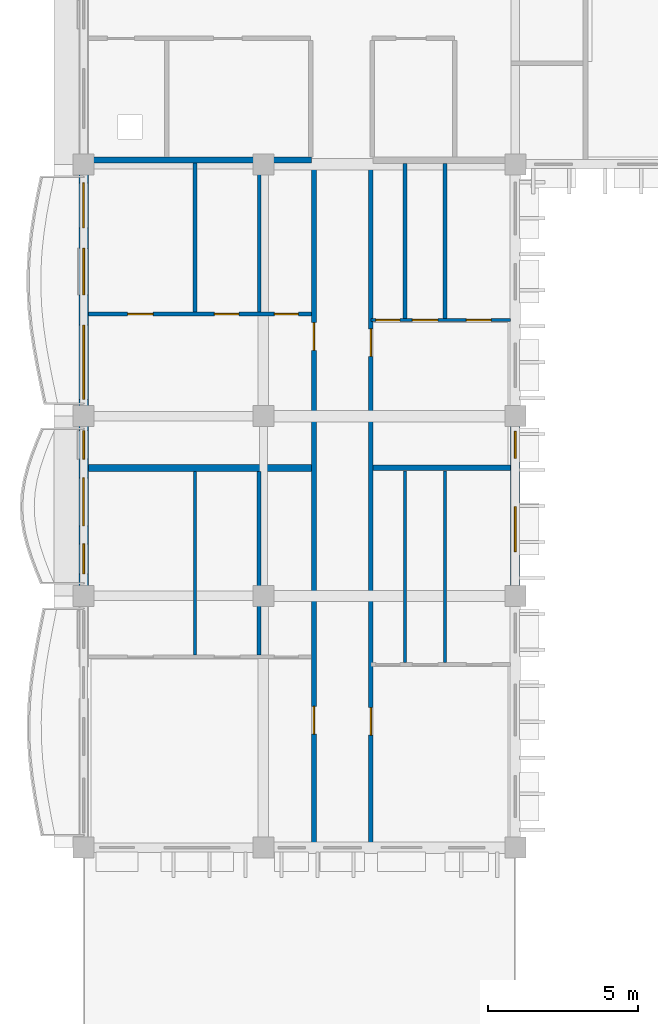
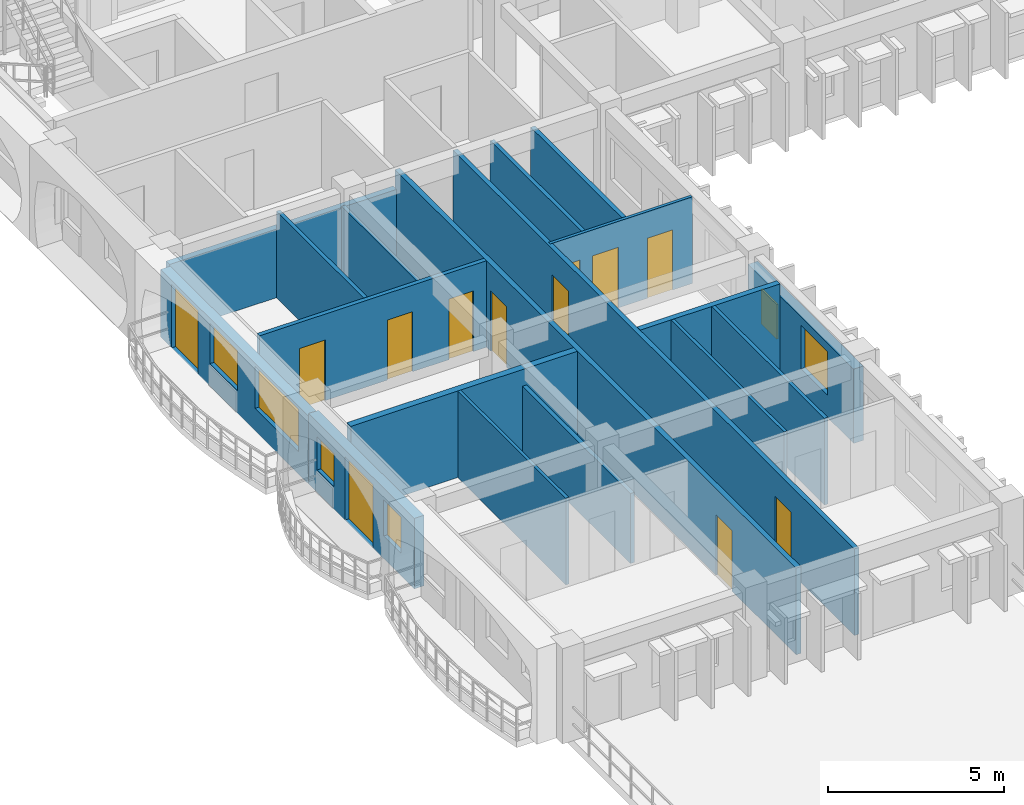
# One storey, part 20 of 66: 18 walls, 12 doors, 6 windows, 18 openings.
"""IFC4 building model written with IfcOpenShell, lengths in metres."""

from ifc_helpers import new_model, si_unit, direction, frame, frame_2d, origin, place, context, subcontext, project, spatial, rectangle, extrude, material, layer, layer_set, type_object, element, fill, save


model = new_model("IFC4")

# Units and contexts
model_context = context("Model", 3, precision=1e-05, world=origin(), true_north=direction((0.0, 1.0)))
body_context = subcontext(model_context, "Body", "Model", "MODEL_VIEW")
ifc_project = project(units=[si_unit("LENGTHUNIT", "METRE"), si_unit("AREAUNIT", "SQUARE_METRE"), si_unit("VOLUMEUNIT", "CUBIC_METRE"), si_unit("PLANEANGLEUNIT", "RADIAN"), si_unit("MASSUNIT", "GRAM", prefix="KILO"), si_unit("THERMODYNAMICTEMPERATUREUNIT", "KELVIN")], contexts=[model_context])

# Site, building, storey
site_placement = place(None, origin())
site = spatial("IfcSite", under=ifc_project, at=site_placement, CompositionType="ELEMENT")
building_placement = place(site_placement, origin())
building = spatial("IfcBuilding", under=site, at=building_placement, Name="Thalorik Housing Commons", CompositionType="ELEMENT")
storey_placement = place(building_placement, frame((0.0, 0.0, 21.300048828125)))
storey = spatial("IfcBuildingStorey", under=building, at=storey_placement, Name="L06", CompositionType="ELEMENT", Elevation=21.300048828125)

# Wall, openings, doors
ifc_material_1 = material(Name="Masonry fire-rated corridor wall", Category="masonry")
ifc_layer_1 = layer(ifc_material_1, 0.14990234375, Name="Masonry fire-rated corridor wall", Category="masonry")
ifc_layer_set_1 = layer_set([ifc_layer_1], Name="Masonry fire-rated corridor wall")
wall_type_1 = type_object("IfcWallType", Name="ARC-WAL-CORR-150", PredefinedType="PARTITIONING", material=ifc_layer_set_1)
wall_1_placement = place(storey_placement, frame((17.97998046875, 86.56201171875, 0.0), z_axis=(0.0, 0.0, 1.0), x_axis=(0.0, 1.0, 0.0)))
wall_1 = element("IfcWall", 1, at=wall_1_placement, inside=storey, type_object=wall_type_1, Name="L06 Block A W Corridor Wall 2", PredefinedType="PARTITIONING", context=body_context, shape_type="SweptSolid", body=[
    extrude(rectangle(XDim=22.778076171875, YDim=0.14990234375, at=frame_2d((11.38916015625, 0.0))), origin(), (0.0, 0.0, 1.0), 3.0),
])
opening_1_placement = place(wall_1_placement, frame((3.592529296875, 0.0, 0.0)))
opening_1 = element("IfcOpeningElement", 2, at=opening_1_placement, cuts=wall_1, Name="Opening ID-0683", PredefinedType="OPENING", context=body_context, shape_type="SweptSolid", body=[
    extrude(rectangle(XDim=0.919921875, YDim=2.10009765625, at=frame_2d((0.4599609375, 1.050048828125))), frame((0.0, 0.0849609375, 0.0), z_axis=(0.0, -1.0, 0.0), x_axis=(1.0, 0.0, 0.0)), (0.0, 0.0, 1.0), 0.169921875),
])
opening_2_placement = place(wall_1_placement, frame((16.2275390625, 0.0, 0.0)))
opening_2 = element("IfcOpeningElement", 3, at=opening_2_placement, cuts=wall_1, Name="Opening ID-0684", PredefinedType="OPENING", context=body_context, shape_type="SweptSolid", body=[
    extrude(rectangle(XDim=0.919921875, YDim=2.10009765625, at=frame_2d((0.4599609375, 1.050048828125))), frame((0.0, 0.0849609375, 0.0), z_axis=(0.0, -1.0, 0.0), x_axis=(1.0, 0.0, 0.0)), (0.0, 0.0, 1.0), 0.169921875),
])
ifc_material_2 = material(Name="Solid core hardwood timber", Category="wood")
door_type_1 = type_object("IfcDoorType", Name="ARC-DR-FD30-920", OperationType="NOTDEFINED", PredefinedType="DOOR", material=ifc_material_2)
door_1_placement = place(opening_1_placement, origin())
door_1 = element("IfcDoor", 4, at=door_1_placement, inside=storey, type_object=door_type_1, Name="L06 Flat AW-1B Entrance Door", OperationType="SINGLE_SWING_RIGHT", OverallHeight=2.10009765625, OverallWidth=0.919921875, PredefinedType="DOOR", context=body_context, shape_type="SweptSolid", body=[
    extrude(rectangle(XDim=0.919921875, YDim=2.10009765625, at=frame_2d((0.4599609375, 1.050048828125))), frame((0.0, 0.02490234375, 0.0), z_axis=(0.0, -1.0, 0.0), x_axis=(1.0, 0.0, 0.0)), (0.0, 0.0, 1.0), 0.050048828125),
])
fill(opening_1, door_1)
door_2_placement = place(opening_2_placement, origin())
door_2 = element("IfcDoor", 5, at=door_2_placement, inside=storey, type_object=door_type_1, Name="L06 Flat AW-2B Entrance Door", OperationType="SINGLE_SWING_LEFT", OverallHeight=2.10009765625, OverallWidth=0.919921875, PredefinedType="DOOR", context=body_context, shape_type="SweptSolid", body=[
    extrude(rectangle(XDim=0.919921875, YDim=2.10009765625, at=frame_2d((0.4599609375, 1.050048828125))), frame((0.0, 0.02490234375, 0.0), z_axis=(0.0, -1.0, 0.0), x_axis=(1.0, 0.0, 0.0)), (0.0, 0.0, 1.0), 0.050048828125),
])
fill(opening_2, door_2)

ifc_layer_2 = layer(ifc_material_1, 0.1650390625, Name="Masonry fire-rated corridor wall", Category="masonry")
ifc_layer_set_2 = layer_set([ifc_layer_2], Name="Masonry fire-rated corridor wall")
wall_type_2 = type_object("IfcWallType", Name="ARC-WAL-CORR-165", PredefinedType="PARTITIONING", material=ifc_layer_set_2)
wall_2_placement = place(storey_placement, frame((16.080078125, 86.56201171875, 0.0), z_axis=(0.0, 0.0, 1.0), x_axis=(0.0, 1.0, 0.0)))
wall_2 = element("IfcWall", 6, at=wall_2_placement, inside=storey, type_object=wall_type_2, Name="L06 Block A W Corridor Wall 1", PredefinedType="PARTITIONING", context=body_context, shape_type="SweptSolid", body=[
    extrude(rectangle(XDim=22.778076171875, YDim=0.1650390625, at=frame_2d((11.38916015625, 0.0))), origin(), (0.0, 0.0, 1.0), 3.0),
])
opening_3_placement = place(wall_2_placement, frame((3.63037109375, 0.0, 0.0)))
opening_3 = element("IfcOpeningElement", 7, at=opening_3_placement, cuts=wall_2, Name="Opening ID-0681", PredefinedType="OPENING", context=body_context, shape_type="SweptSolid", body=[
    extrude(rectangle(XDim=0.919921875, YDim=2.10009765625, at=frame_2d((0.4599609375, 1.050048828125))), frame((0.0, 0.092529296875, 0.0), z_axis=(0.0, -1.0, 0.0), x_axis=(1.0, 0.0, 0.0)), (0.0, 0.0, 1.0), 0.18505859375),
])
opening_4_placement = place(wall_2_placement, frame((16.43310546875, 0.0, 0.0)))
opening_4 = element("IfcOpeningElement", 8, at=opening_4_placement, cuts=wall_2, Name="Opening ID-0682", PredefinedType="OPENING", context=body_context, shape_type="SweptSolid", body=[
    extrude(rectangle(XDim=0.919921875, YDim=2.10009765625, at=frame_2d((0.4599609375, 1.050048828125))), frame((0.0, 0.092529296875, 0.0), z_axis=(0.0, -1.0, 0.0), x_axis=(1.0, 0.0, 0.0)), (0.0, 0.0, 1.0), 0.18505859375),
])
door_3_placement = place(opening_3_placement, origin())
door_3 = element("IfcDoor", 9, at=door_3_placement, inside=storey, type_object=door_type_1, Name="L06 Flat AW-1A Entrance Door", OperationType="SINGLE_SWING_RIGHT", OverallHeight=2.10009765625, OverallWidth=0.919921875, PredefinedType="DOOR", context=body_context, shape_type="SweptSolid", body=[
    extrude(rectangle(XDim=0.919921875, YDim=2.10009765625, at=frame_2d((0.4599609375, 1.050048828125))), frame((0.0, 0.02490234375, 0.0), z_axis=(0.0, -1.0, 0.0), x_axis=(1.0, 0.0, 0.0)), (0.0, 0.0, 1.0), 0.050048828125),
])
fill(opening_3, door_3)
door_4_placement = place(opening_4_placement, origin())
door_4 = element("IfcDoor", 10, at=door_4_placement, inside=storey, type_object=door_type_1, Name="L06 Flat AW-2A Entrance Door", OperationType="SINGLE_SWING_LEFT", OverallHeight=2.10009765625, OverallWidth=0.919921875, PredefinedType="DOOR", context=body_context, shape_type="SweptSolid", body=[
    extrude(rectangle(XDim=0.919921875, YDim=2.10009765625, at=frame_2d((0.4599609375, 1.050048828125))), frame((0.0, 0.02490234375, 0.0), z_axis=(0.0, -1.0, 0.0), x_axis=(1.0, 0.0, 0.0)), (0.0, 0.0, 1.0), 0.050048828125),
])
fill(opening_4, door_4)

# Wall, openings, door, windows
ifc_material_3 = material(Name="White precast concrete C40/50", Category="concrete")
ifc_layer_3 = layer(ifc_material_3, 0.320068359375, Name="White precast concrete C40/50", Category="concrete")
ifc_layer_set_3 = layer_set([ifc_layer_3], Name="White precast concrete C40/50")
wall_type_3 = type_object("IfcWallType", Name="ARC-WAL-EXT-320", PredefinedType="STANDARD", material=ifc_layer_set_3)
wall_3_placement = place(storey_placement, frame((8.39990234375, 109.199951171875, 0.0), z_axis=(0.0, 0.0, 1.0), x_axis=(0.0, -1.0, 0.0)))
wall_3 = element("IfcWall", 11, at=wall_3_placement, inside=storey, type_object=wall_type_3, Name="L06 Exterior Wall WAL-EXT-L06-A-0183", PredefinedType="STANDARD", context=body_context, shape_type="SweptSolid", body=[
    extrude(rectangle(XDim=8.39990234375, YDim=0.320068359375, at=frame_2d((4.199951171875, 0.0))), origin(), (0.0, 0.0, 1.0), 2.344970703125),
])
opening_5_placement = place(wall_3_placement, frame((0.6201171875, 0.0, 0.0)))
opening_5 = element("IfcOpeningElement", 12, at=opening_5_placement, cuts=wall_3, Name="Opening ED-0056", PredefinedType="OPENING", context=body_context, shape_type="SweptSolid", body=[
    extrude(rectangle(XDim=1.5, YDim=2.199951171875, at=frame_2d((0.75, 1.10009765625))), frame((0.0, 0.169921875, 0.0), z_axis=(0.0, -1.0, 0.0), x_axis=(1.0, 0.0, 0.0)), (0.0, 0.0, 1.0), 0.340087890625),
])
opening_6_placement = place(wall_3_placement, frame((2.8076171875, 0.0, 0.780029296875)))
opening_6 = element("IfcOpeningElement", 13, at=opening_6_placement, cuts=wall_3, Name="Opening W-12", PredefinedType="OPENING", context=body_context, shape_type="SweptSolid", body=[
    extrude(rectangle(XDim=1.550048828125, YDim=1.39990234375, at=frame_2d((0.77490234375, 0.699951171875))), frame((0.0, 0.169921875, 0.0), z_axis=(0.0, -1.0, 0.0), x_axis=(1.0, 0.0, 0.0)), (0.0, 0.0, 1.0), 0.340087890625),
])
opening_7_placement = place(wall_3_placement, frame((5.362548828125, 0.0, 0.780029296875)))
opening_7 = element("IfcOpeningElement", 14, at=opening_7_placement, cuts=wall_3, Name="Opening W-71", PredefinedType="OPENING", context=body_context, shape_type="SweptSolid", body=[
    extrude(rectangle(XDim=2.47998046875, YDim=1.4599609375, at=frame_2d((1.239990234375, 0.72998046875))), frame((0.0, 0.169921875, 0.0), z_axis=(0.0, -1.0, 0.0), x_axis=(1.0, 0.0, 0.0)), (0.0, 0.0, 1.0), 0.340087890625),
])
ifc_material_4 = material(Name="Anodised aluminium and laminated safety glass", Category="aluminium")
door_type_2 = type_object("IfcDoorType", Name="ARC-DR-BAL-1500", OperationType="NOTDEFINED", PredefinedType="DOOR", material=ifc_material_4)
door_5_placement = place(opening_5_placement, frame((1.5, 0.0, 0.0), z_axis=(0.0, 0.0, 1.0), x_axis=(-1.0, 0.0, 0.0)))
door_5 = element("IfcDoor", 15, at=door_5_placement, inside=storey, type_object=door_type_2, Name="L06 Block A Balcony Glazed Door", OperationType="SLIDING_TO_RIGHT", OverallHeight=2.199951171875, OverallWidth=1.5, PredefinedType="DOOR", context=body_context, shape_type="SweptSolid", body=[
    extrude(rectangle(XDim=1.5, YDim=2.199951171875, at=frame_2d((0.75, 1.10009765625))), frame((0.0, 0.02490234375, 0.0), z_axis=(0.0, -1.0, 0.0), x_axis=(1.0, 0.0, 0.0)), (0.0, 0.0, 1.0), 0.050048828125),
])
fill(opening_5, door_5)
ifc_material_5 = material(Name="Anodised aluminium and solar-control low-E glass", Category="aluminium")
window_type_1 = type_object("IfcWindowType", Name="ARC-WIN-12", PartitioningType="SINGLE_PANEL", PredefinedType="WINDOW", material=ifc_material_5)
window_1_placement = place(opening_6_placement, origin())
window_1 = element("IfcWindow", 16, at=window_1_placement, inside=storey, type_object=window_type_1, Name="L06 Facade Window 326", OverallHeight=1.39990234375, OverallWidth=1.550048828125, PartitioningType="SINGLE_PANEL", PredefinedType="WINDOW", context=body_context, shape_type="SweptSolid", body=[
    extrude(rectangle(XDim=1.550048828125, YDim=1.39990234375, at=frame_2d((0.77490234375, 0.699951171875))), frame((0.0, 0.030029296875, 0.0), z_axis=(0.0, -1.0, 0.0), x_axis=(1.0, 0.0, 0.0)), (0.0, 0.0, 1.0), 0.06005859375),
])
fill(opening_6, window_1)
window_type_2 = type_object("IfcWindowType", Name="ARC-WIN-71", PartitioningType="DOUBLE_PANEL_VERTICAL", PredefinedType="WINDOW", material=ifc_material_5)
window_2_placement = place(opening_7_placement, origin())
window_2 = element("IfcWindow", 17, at=window_2_placement, inside=storey, type_object=window_type_2, Name="L06 Facade Window 327", OverallHeight=1.4599609375, OverallWidth=2.47998046875, PartitioningType="DOUBLE_PANEL_VERTICAL", PredefinedType="WINDOW", context=body_context, shape_type="SweptSolid", body=[
    extrude(rectangle(XDim=2.47998046875, YDim=1.4599609375, at=frame_2d((1.239990234375, 0.72998046875))), frame((0.0, 0.030029296875, 0.0), z_axis=(0.0, -1.0, 0.0), x_axis=(1.0, 0.0, 0.0)), (0.0, 0.0, 1.0), 0.06005859375),
])
fill(opening_7, window_2)

wall_4_placement = place(storey_placement, frame((8.39990234375, 100.800048828125, 0.0), z_axis=(0.0, 0.0, 1.0), x_axis=(0.0, -1.0, 0.0)))
wall_4 = element("IfcWall", 18, at=wall_4_placement, inside=storey, type_object=wall_type_3, Name="L06 Exterior Wall WAL-EXT-L06-A-0184", PredefinedType="STANDARD", context=body_context, shape_type="SweptSolid", body=[
    extrude(rectangle(XDim=6.0, YDim=0.320068359375, at=frame_2d((3.0, 0.0))), origin(), (0.0, 0.0, 1.0), 2.445068359375),
])
opening_8_placement = place(wall_4_placement, frame((2.06005859375, 0.0, 0.0)))
opening_8 = element("IfcOpeningElement", 19, at=opening_8_placement, cuts=wall_4, Name="Opening ED-0057", PredefinedType="OPENING", context=body_context, shape_type="SweptSolid", body=[
    extrude(rectangle(XDim=1.60009765625, YDim=2.199951171875, at=frame_2d((0.800048828125, 1.10009765625))), frame((0.0, 0.169921875, 0.0), z_axis=(0.0, -1.0, 0.0), x_axis=(1.0, 0.0, 0.0)), (0.0, 0.0, 1.0), 0.340087890625),
])
opening_9_placement = place(wall_4_placement, frame((0.485107421875, 0.0, 0.780029296875)))
opening_9 = element("IfcOpeningElement", 20, at=opening_9_placement, cuts=wall_4, Name="Opening W-43", PredefinedType="OPENING", context=body_context, shape_type="SweptSolid", body=[
    extrude(rectangle(XDim=0.949951171875, YDim=1.14990234375, at=frame_2d((0.47509765625, 0.574951171875))), frame((0.0, 0.169921875, 0.0), z_axis=(0.0, -1.0, 0.0), x_axis=(1.0, 0.0, 0.0)), (0.0, 0.0, 1.0), 0.340087890625),
])
opening_10_placement = place(wall_4_placement, frame((4.260009765625, 0.0, 0.780029296875)))
opening_10 = element("IfcOpeningElement", 21, at=opening_10_placement, cuts=wall_4, Name="Opening W-02", PredefinedType="OPENING", context=body_context, shape_type="SweptSolid", body=[
    extrude(rectangle(XDim=1.0, YDim=1.25, at=frame_2d((0.5, 0.625))), frame((0.0, 0.169921875, 0.0), z_axis=(0.0, -1.0, 0.0), x_axis=(1.0, 0.0, 0.0)), (0.0, 0.0, 1.0), 0.340087890625),
])
door_type_3 = type_object("IfcDoorType", Name="ARC-DR-BAL-1600", OperationType="NOTDEFINED", PredefinedType="DOOR", material=ifc_material_4)
door_6_placement = place(opening_8_placement, frame((1.60009765625, 0.0, 0.0), z_axis=(0.0, 0.0, 1.0), x_axis=(-1.0, 0.0, 0.0)))
door_6 = element("IfcDoor", 22, at=door_6_placement, inside=storey, type_object=door_type_3, Name="L06 Block A Balcony Glazed Door", OperationType="SLIDING_TO_LEFT", OverallHeight=2.199951171875, OverallWidth=1.60009765625, PredefinedType="DOOR", context=body_context, shape_type="SweptSolid", body=[
    extrude(rectangle(XDim=1.60009765625, YDim=2.199951171875, at=frame_2d((0.800048828125, 1.10009765625))), frame((0.0, 0.02490234375, 0.0), z_axis=(0.0, -1.0, 0.0), x_axis=(1.0, 0.0, 0.0)), (0.0, 0.0, 1.0), 0.050048828125),
])
fill(opening_8, door_6)
window_type_3 = type_object("IfcWindowType", Name="ARC-WIN-02", PartitioningType="SINGLE_PANEL", PredefinedType="WINDOW", material=ifc_material_5)
window_3_placement = place(opening_10_placement, origin())
window_3 = element("IfcWindow", 23, at=window_3_placement, inside=storey, type_object=window_type_3, Name="L06 Facade Window 329", OverallHeight=1.25, OverallWidth=1.0, PartitioningType="SINGLE_PANEL", PredefinedType="WINDOW", context=body_context, shape_type="SweptSolid", body=[
    extrude(rectangle(XDim=1.0, YDim=1.25, at=frame_2d((0.5, 0.625))), frame((0.0, 0.030029296875, 0.0), z_axis=(0.0, -1.0, 0.0), x_axis=(1.0, 0.0, 0.0)), (0.0, 0.0, 1.0), 0.06005859375),
])
fill(opening_10, window_3)
window_type_4 = type_object("IfcWindowType", Name="ARC-WIN-43", PartitioningType="SINGLE_PANEL", PredefinedType="WINDOW", material=ifc_material_5)
window_4_placement = place(opening_9_placement, origin())
window_4 = element("IfcWindow", 24, at=window_4_placement, inside=storey, type_object=window_type_4, Name="L06 Facade Window 328", OverallHeight=1.14990234375, OverallWidth=0.949951171875, PartitioningType="SINGLE_PANEL", PredefinedType="WINDOW", context=body_context, shape_type="SweptSolid", body=[
    extrude(rectangle(XDim=0.949951171875, YDim=1.14990234375, at=frame_2d((0.47509765625, 0.574951171875))), frame((0.0, 0.030029296875, 0.0), z_axis=(0.0, -1.0, 0.0), x_axis=(1.0, 0.0, 0.0)), (0.0, 0.0, 1.0), 0.06005859375),
])
fill(opening_9, window_4)

# Wall, openings, windows
wall_5_placement = place(storey_placement, frame((22.800048828125, 94.800048828125, 0.0), z_axis=(0.0, 0.0, 1.0), x_axis=(0.0, 1.0, 0.0)))
wall_5 = element("IfcWall", 25, at=wall_5_placement, inside=storey, type_object=wall_type_3, Name="L06 Exterior Wall WAL-EXT-L06-A-0189", PredefinedType="STANDARD", context=body_context, shape_type="SweptSolid", body=[
    extrude(rectangle(XDim=6.0, YDim=0.320068359375, at=frame_2d((3.0, 0.0))), origin(), (0.0, 0.0, 1.0), 2.574951171875),
])
opening_11_placement = place(wall_5_placement, frame((1.47998046875, 0.0, 0.780029296875)))
opening_11 = element("IfcOpeningElement", 26, at=opening_11_placement, cuts=wall_5, Name="Opening W-10", PredefinedType="OPENING", context=body_context, shape_type="SweptSolid", body=[
    extrude(rectangle(XDim=1.5, YDim=1.5, at=frame_2d((0.75, 0.75))), frame((0.0, 0.169921875, 0.0), z_axis=(0.0, -1.0, 0.0), x_axis=(1.0, 0.0, 0.0)), (0.0, 0.0, 1.0), 0.340087890625),
])
opening_12_placement = place(wall_5_placement, frame((4.590087890625, 0.0, 0.780029296875)))
opening_12 = element("IfcOpeningElement", 27, at=opening_12_placement, cuts=wall_5, Name="Opening W-01", PredefinedType="OPENING", context=body_context, shape_type="SweptSolid", body=[
    extrude(rectangle(XDim=0.89990234375, YDim=1.199951171875, at=frame_2d((0.449951171875, 0.60009765625))), frame((0.0, 0.169921875, 0.0), z_axis=(0.0, -1.0, 0.0), x_axis=(1.0, 0.0, 0.0)), (0.0, 0.0, 1.0), 0.340087890625),
])
window_type_5 = type_object("IfcWindowType", Name="ARC-WIN-01", PartitioningType="SINGLE_PANEL", PredefinedType="WINDOW", material=ifc_material_5)
window_5_placement = place(opening_12_placement, origin())
window_5 = element("IfcWindow", 28, at=window_5_placement, inside=storey, type_object=window_type_5, Name="L06 Facade Window 341", OverallHeight=1.199951171875, OverallWidth=0.89990234375, PartitioningType="SINGLE_PANEL", PredefinedType="WINDOW", context=body_context, shape_type="SweptSolid", body=[
    extrude(rectangle(XDim=0.89990234375, YDim=1.199951171875, at=frame_2d((0.449951171875, 0.60009765625))), frame((0.0, 0.030029296875, 0.0), z_axis=(0.0, -1.0, 0.0), x_axis=(1.0, 0.0, 0.0)), (0.0, 0.0, 1.0), 0.06005859375),
])
fill(opening_12, window_5)
window_type_6 = type_object("IfcWindowType", Name="ARC-WIN-10", PartitioningType="SINGLE_PANEL", PredefinedType="WINDOW", material=ifc_material_5)
window_6_placement = place(opening_11_placement, origin())
window_6 = element("IfcWindow", 29, at=window_6_placement, inside=storey, type_object=window_type_6, Name="L06 Facade Window 340", OverallHeight=1.5, OverallWidth=1.5, PartitioningType="SINGLE_PANEL", PredefinedType="WINDOW", context=body_context, shape_type="SweptSolid", body=[
    extrude(rectangle(XDim=1.5, YDim=1.5, at=frame_2d((0.75, 0.75))), frame((0.0, 0.030029296875, 0.0), z_axis=(0.0, -1.0, 0.0), x_axis=(1.0, 0.0, 0.0)), (0.0, 0.0, 1.0), 0.06005859375),
])
fill(opening_11, window_6)

# Walls
ifc_material_6 = material(Name="Gypsum light stud partition", Category="masonry")
ifc_layer_4 = layer(ifc_material_6, 0.10009765625, Name="Gypsum light stud partition", Category="masonry")
ifc_layer_set_4 = layer_set([ifc_layer_4], Name="Gypsum light stud partition")
wall_type_4 = type_object("IfcWallType", Name="ARC-WAL-PART-100", PredefinedType="PARTITIONING", material=ifc_layer_set_4)
wall_6_placement = place(storey_placement, frame((12.11767578125, 92.824462890625, 0.0), z_axis=(0.0, 0.0, 1.0), x_axis=(0.0, 1.0, 0.0)))
element("IfcWall", 30, at=wall_6_placement, inside=storey, type_object=wall_type_4, Name="L06 Unit 1 Bedroom Partition", PredefinedType="PARTITIONING", context=body_context, shape_type="SweptSolid", body=[
    extrude(rectangle(XDim=6.133544921875, YDim=0.10009765625, at=frame_2d((3.06689453125, 0.0))), origin(), (0.0, 0.0, 1.0), 3.0),
])
wall_7_placement = place(storey_placement, frame((19.122314453125, 92.577392578125, 0.0), z_axis=(0.0, 0.0, 1.0), x_axis=(0.0, 1.0, 0.0)))
element("IfcWall", 31, at=wall_7_placement, inside=storey, type_object=wall_type_4, Name="L06 Unit 1B Wet Wall", PredefinedType="PARTITIONING", context=body_context, shape_type="SweptSolid", body=[
    extrude(rectangle(XDim=6.398193359375, YDim=0.10009765625, at=frame_2d((3.19921875, 0.0))), origin(), (0.0, 0.0, 1.0), 3.0),
])

# Wall, openings, doors
wall_8_placement = place(storey_placement, frame((17.97998046875, 103.99951171875, 0.0), z_axis=(0.0, 0.0, 1.0), x_axis=(1.0, 0.0, 0.0)))
wall_8 = element("IfcWall", 32, at=wall_8_placement, inside=storey, type_object=wall_type_4, Name="L06 Unit 2B Spine Partition", PredefinedType="PARTITIONING", context=body_context, shape_type="SweptSolid", body=[
    extrude(rectangle(XDim=4.657958984375, YDim=0.10009765625, at=frame_2d((2.3291015625, 0.0))), origin(), (0.0, 0.0, 1.0), 3.0),
])
opening_13_placement = place(wall_8_placement, frame((0.171142578125, 0.0, 0.0)))
opening_13 = element("IfcOpeningElement", 33, at=opening_13_placement, cuts=wall_8, Name="Opening ID-0678", PredefinedType="OPENING", context=body_context, shape_type="SweptSolid", body=[
    extrude(rectangle(XDim=0.800048828125, YDim=2.10009765625, at=frame_2d((0.39990234375, 1.050048828125))), frame((0.0, 0.06005859375, 0.0), z_axis=(0.0, -1.0, 0.0), x_axis=(1.0, 0.0, 0.0)), (0.0, 0.0, 1.0), 0.1201171875),
])
opening_14_placement = place(wall_8_placement, frame((1.3837890625, 0.0, 0.0)))
opening_14 = element("IfcOpeningElement", 34, at=opening_14_placement, cuts=wall_8, Name="Opening ID-0679", PredefinedType="OPENING", context=body_context, shape_type="SweptSolid", body=[
    extrude(rectangle(XDim=0.85009765625, YDim=2.10009765625, at=frame_2d((0.425048828125, 1.050048828125))), frame((0.0, 0.06005859375, 0.0), z_axis=(0.0, -1.0, 0.0), x_axis=(1.0, 0.0, 0.0)), (0.0, 0.0, 1.0), 0.1201171875),
])
opening_15_placement = place(wall_8_placement, frame((3.192626953125, 0.0, 0.0)))
opening_15 = element("IfcOpeningElement", 35, at=opening_15_placement, cuts=wall_8, Name="Opening ID-0680", PredefinedType="OPENING", context=body_context, shape_type="SweptSolid", body=[
    extrude(rectangle(XDim=0.820068359375, YDim=2.080078125, at=frame_2d((0.41015625, 1.0400390625))), frame((0.0, 0.06005859375, 0.0), z_axis=(0.0, -1.0, 0.0), x_axis=(1.0, 0.0, 0.0)), (0.0, 0.0, 1.0), 0.1201171875),
])
ifc_material_7 = material(Name="Moisture-resistant timber", Category="wood")
door_type_4 = type_object("IfcDoorType", Name="ARC-DR-INT-800", OperationType="NOTDEFINED", PredefinedType="DOOR", material=ifc_material_7)
door_7_placement = place(opening_13_placement, origin())
door_7 = element("IfcDoor", 36, at=door_7_placement, inside=storey, type_object=door_type_4, Name="L06 Accessible Bathroom Door", OperationType="SINGLE_SWING_LEFT", OverallHeight=2.10009765625, OverallWidth=0.800048828125, PredefinedType="DOOR", context=body_context, shape_type="SweptSolid", body=[
    extrude(rectangle(XDim=0.800048828125, YDim=2.10009765625, at=frame_2d((0.39990234375, 1.050048828125))), frame((0.0, 0.02490234375, 0.0), z_axis=(0.0, -1.0, 0.0), x_axis=(1.0, 0.0, 0.0)), (0.0, 0.0, 1.0), 0.050048828125),
])
fill(opening_13, door_7)
ifc_material_8 = material(Name="Engineered oak timber", Category="wood")
door_type_5 = type_object("IfcDoorType", Name="ARC-DR-INT-820", OperationType="NOTDEFINED", PredefinedType="DOOR", material=ifc_material_8)
door_8_placement = place(opening_15_placement, origin())
door_8 = element("IfcDoor", 37, at=door_8_placement, inside=storey, type_object=door_type_5, Name="L06 Single Bedroom Door", OperationType="SINGLE_SWING_LEFT", OverallHeight=2.080078125, OverallWidth=0.820068359375, PredefinedType="DOOR", context=body_context, shape_type="SweptSolid", body=[
    extrude(rectangle(XDim=0.820068359375, YDim=2.080078125, at=frame_2d((0.41015625, 1.0400390625))), frame((0.0, 0.02490234375, 0.0), z_axis=(0.0, -1.0, 0.0), x_axis=(1.0, 0.0, 0.0)), (0.0, 0.0, 1.0), 0.050048828125),
])
fill(opening_15, door_8)
door_type_6 = type_object("IfcDoorType", Name="ARC-DR-INT-850", OperationType="NOTDEFINED", PredefinedType="DOOR", material=ifc_material_8)
door_9_placement = place(opening_14_placement, origin())
door_9 = element("IfcDoor", 38, at=door_9_placement, inside=storey, type_object=door_type_6, Name="L06 Eat-In Kitchen Door", OperationType="SINGLE_SWING_RIGHT", OverallHeight=2.10009765625, OverallWidth=0.85009765625, PredefinedType="DOOR", context=body_context, shape_type="SweptSolid", body=[
    extrude(rectangle(XDim=0.85009765625, YDim=2.10009765625, at=frame_2d((0.425048828125, 1.050048828125))), frame((0.0, 0.02490234375, 0.0), z_axis=(0.0, -1.0, 0.0), x_axis=(1.0, 0.0, 0.0)), (0.0, 0.0, 1.0), 0.050048828125),
])
fill(opening_14, door_9)

# Walls
ifc_material_9 = material(Name="Gypsum moisture-resistant partition", Category="masonry")
ifc_layer_5 = layer(ifc_material_9, 0.114990234375, Name="Gypsum moisture-resistant partition", Category="masonry")
ifc_layer_set_5 = layer_set([ifc_layer_5], Name="Gypsum moisture-resistant partition")
wall_type_5 = type_object("IfcWallType", Name="ARC-WAL-PART-115", PredefinedType="PARTITIONING", material=ifc_layer_set_5)
wall_9_placement = place(storey_placement, frame((20.455078125, 92.577392578125, 0.0), z_axis=(0.0, 0.0, 1.0), x_axis=(0.0, 1.0, 0.0)))
element("IfcWall", 39, at=wall_9_placement, inside=storey, type_object=wall_type_5, Name="L06 Unit 1B Bedroom Partition", PredefinedType="PARTITIONING", context=body_context, shape_type="SweptSolid", body=[
    extrude(rectangle(XDim=6.398193359375, YDim=0.114990234375, at=frame_2d((3.19921875, 0.0))), origin(), (0.0, 0.0, 1.0), 3.0),
])
wall_10_placement = place(storey_placement, frame((14.251220703125, 104.277099609375, 0.0), z_axis=(0.0, 0.0, 1.0), x_axis=(0.0, 1.0, 0.0)))
element("IfcWall", 40, at=wall_10_placement, inside=storey, type_object=wall_type_5, Name="L06 Unit 2 Wet Wall", PredefinedType="PARTITIONING", context=body_context, shape_type="SweptSolid", body=[
    extrude(rectangle(XDim=4.9609375, YDim=0.114990234375, at=frame_2d((2.48046875, 0.0))), origin(), (0.0, 0.0, 1.0), 2.425048828125),
])
ifc_material_10 = material(Name="Gypsum acoustic stud partition", Category="masonry")
ifc_layer_6 = layer(ifc_material_10, 0.125, Name="Gypsum acoustic stud partition", Category="masonry")
ifc_layer_set_6 = layer_set([ifc_layer_6], Name="Gypsum acoustic stud partition")
wall_type_6 = type_object("IfcWallType", Name="ARC-WAL-PART-125", PredefinedType="PARTITIONING", material=ifc_layer_set_6)
wall_11_placement = place(storey_placement, frame((12.11767578125, 104.277099609375, 0.0), z_axis=(0.0, 0.0, 1.0), x_axis=(0.0, 1.0, 0.0)))
element("IfcWall", 41, at=wall_11_placement, inside=storey, type_object=wall_type_6, Name="L06 Unit 2 Bedroom Partition", PredefinedType="PARTITIONING", context=body_context, shape_type="SweptSolid", body=[
    extrude(rectangle(XDim=4.9609375, YDim=0.125, at=frame_2d((2.48046875, 0.0))), origin(), (0.0, 0.0, 1.0), 3.0),
])
wall_12_placement = place(storey_placement, frame((19.122314453125, 104.051513671875, 0.0), z_axis=(0.0, 0.0, 1.0), x_axis=(0.0, 1.0, 0.0)))
element("IfcWall", 42, at=wall_12_placement, inside=storey, type_object=wall_type_6, Name="L06 Unit 2B Wet Wall", PredefinedType="PARTITIONING", context=body_context, shape_type="SweptSolid", body=[
    extrude(rectangle(XDim=5.176513671875, YDim=0.125, at=frame_2d((2.58837890625, 0.0))), origin(), (0.0, 0.0, 1.0), 3.0),
])
ifc_material_11 = material(Name="Ceramic masonry partition wall", Category="masonry")
ifc_layer_7 = layer(ifc_material_11, 0.139892578125, Name="Ceramic masonry partition wall", Category="masonry")
ifc_layer_set_7 = layer_set([ifc_layer_7], Name="Ceramic masonry partition wall")
wall_type_7 = type_object("IfcWallType", Name="ARC-WAL-PART-140", PredefinedType="PARTITIONING", material=ifc_layer_set_7)
wall_13_placement = place(storey_placement, frame((14.251220703125, 92.824462890625, 0.0), z_axis=(0.0, 0.0, 1.0), x_axis=(0.0, 1.0, 0.0)))
element("IfcWall", 43, at=wall_13_placement, inside=storey, type_object=wall_type_7, Name="L06 Unit 1 Wet Wall", PredefinedType="PARTITIONING", context=body_context, shape_type="SweptSolid", body=[
    extrude(rectangle(XDim=6.133544921875, YDim=0.139892578125, at=frame_2d((3.06689453125, 0.0))), origin(), (0.0, 0.0, 1.0), 2.425048828125),
])

# Wall, openings, doors
wall_14_placement = place(storey_placement, frame((8.56201171875, 104.205078125, 0.0), z_axis=(0.0, 0.0, 1.0), x_axis=(1.0, 0.0, 0.0)))
wall_14 = element("IfcWall", 44, at=wall_14_placement, inside=storey, type_object=wall_type_7, Name="L06 Unit 2 Spine Partition", PredefinedType="PARTITIONING", context=body_context, shape_type="SweptSolid", body=[
    extrude(rectangle(XDim=7.43359375, YDim=0.139892578125, at=frame_2d((3.716796875, 0.0))), origin(), (0.0, 0.0, 1.0), 3.0),
])
opening_16_placement = place(wall_14_placement, frame((1.3017578125, 0.0, 0.0)))
opening_16 = element("IfcOpeningElement", 45, at=opening_16_placement, cuts=wall_14, Name="Opening ID-0675", PredefinedType="OPENING", context=body_context, shape_type="SweptSolid", body=[
    extrude(rectangle(XDim=0.85009765625, YDim=2.10009765625, at=frame_2d((0.425048828125, 1.050048828125))), frame((0.0, 0.080078125, 0.0), z_axis=(0.0, -1.0, 0.0), x_axis=(1.0, 0.0, 0.0)), (0.0, 0.0, 1.0), 0.159912109375),
])
opening_17_placement = place(wall_14_placement, frame((4.197509765625, 0.0, 0.0)))
opening_17 = element("IfcOpeningElement", 46, at=opening_17_placement, cuts=wall_14, Name="Opening ID-0676", PredefinedType="OPENING", context=body_context, shape_type="SweptSolid", body=[
    extrude(rectangle(XDim=0.820068359375, YDim=2.080078125, at=frame_2d((0.41015625, 1.0400390625))), frame((0.0, 0.080078125, 0.0), z_axis=(0.0, -1.0, 0.0), x_axis=(1.0, 0.0, 0.0)), (0.0, 0.0, 1.0), 0.159912109375),
])
opening_18_placement = place(wall_14_placement, frame((6.20361328125, 0.0, 0.0)))
opening_18 = element("IfcOpeningElement", 47, at=opening_18_placement, cuts=wall_14, Name="Opening ID-0677", PredefinedType="OPENING", context=body_context, shape_type="SweptSolid", body=[
    extrude(rectangle(XDim=0.800048828125, YDim=2.10009765625, at=frame_2d((0.39990234375, 1.050048828125))), frame((0.0, 0.080078125, 0.0), z_axis=(0.0, -1.0, 0.0), x_axis=(1.0, 0.0, 0.0)), (0.0, 0.0, 1.0), 0.159912109375),
])
door_10_placement = place(opening_18_placement, origin())
door_10 = element("IfcDoor", 48, at=door_10_placement, inside=storey, type_object=door_type_4, Name="L06 Flat Bathroom Door", OperationType="SINGLE_SWING_RIGHT", OverallHeight=2.10009765625, OverallWidth=0.800048828125, PredefinedType="DOOR", context=body_context, shape_type="SweptSolid", body=[
    extrude(rectangle(XDim=0.800048828125, YDim=2.10009765625, at=frame_2d((0.39990234375, 1.050048828125))), frame((0.0, 0.02490234375, 0.0), z_axis=(0.0, -1.0, 0.0), x_axis=(1.0, 0.0, 0.0)), (0.0, 0.0, 1.0), 0.050048828125),
])
fill(opening_18, door_10)
door_11_placement = place(opening_17_placement, origin())
door_11 = element("IfcDoor", 49, at=door_11_placement, inside=storey, type_object=door_type_5, Name="L06 Galley Kitchen Door", OperationType="SINGLE_SWING_LEFT", OverallHeight=2.080078125, OverallWidth=0.820068359375, PredefinedType="DOOR", context=body_context, shape_type="SweptSolid", body=[
    extrude(rectangle(XDim=0.820068359375, YDim=2.080078125, at=frame_2d((0.41015625, 1.0400390625))), frame((0.0, 0.02490234375, 0.0), z_axis=(0.0, -1.0, 0.0), x_axis=(1.0, 0.0, 0.0)), (0.0, 0.0, 1.0), 0.050048828125),
])
fill(opening_17, door_11)
door_12_placement = place(opening_16_placement, origin())
door_12 = element("IfcDoor", 50, at=door_12_placement, inside=storey, type_object=door_type_6, Name="L06 Double Bedroom Door", OperationType="SINGLE_SWING_RIGHT", OverallHeight=2.10009765625, OverallWidth=0.85009765625, PredefinedType="DOOR", context=body_context, shape_type="SweptSolid", body=[
    extrude(rectangle(XDim=0.85009765625, YDim=2.10009765625, at=frame_2d((0.425048828125, 1.050048828125))), frame((0.0, 0.02490234375, 0.0), z_axis=(0.0, -1.0, 0.0), x_axis=(1.0, 0.0, 0.0)), (0.0, 0.0, 1.0), 0.050048828125),
])
fill(opening_16, door_12)

# Walls
wall_15_placement = place(storey_placement, frame((20.455078125, 104.051513671875, 0.0), z_axis=(0.0, 0.0, 1.0), x_axis=(0.0, 1.0, 0.0)))
element("IfcWall", 51, at=wall_15_placement, inside=storey, type_object=wall_type_7, Name="L06 Unit 2B Bedroom Partition", PredefinedType="PARTITIONING", context=body_context, shape_type="SweptSolid", body=[
    extrude(rectangle(XDim=5.176513671875, YDim=0.139892578125, at=frame_2d((2.58837890625, 0.0))), origin(), (0.0, 0.0, 1.0), 3.0),
])
ifc_material_12 = material(Name="Masonry acoustic blockwork wall", Category="masonry")
ifc_layer_8 = layer(ifc_material_12, 0.18505859375, Name="Masonry acoustic blockwork wall", Category="masonry")
ifc_layer_set_8 = layer_set([ifc_layer_8], Name="Masonry acoustic blockwork wall")
wall_type_8 = type_object("IfcWallType", Name="ARC-WAL-PARTY-185", PredefinedType="PARTITIONING", material=ifc_layer_set_8)
wall_16_placement = place(storey_placement, frame((18.056884765625, 99.070068359375, 0.0), z_axis=(0.0, 0.0, 1.0), x_axis=(1.0, 0.0, 0.0)))
element("IfcWall", 52, at=wall_16_placement, inside=storey, type_object=wall_type_8, Name="L06 Inter-Tenancy Wall 1B", PredefinedType="PARTITIONING", context=body_context, shape_type="SweptSolid", body=[
    extrude(rectangle(XDim=4.5810546875, YDim=0.18505859375, at=frame_2d((2.29052734375, 0.0))), origin(), (0.0, 0.0, 1.0), 3.0),
])
ifc_material_13 = material(Name="Precast concrete C40/50 acoustic wall", Category="concrete")
ifc_layer_9 = layer(ifc_material_13, 0.199951171875, Name="Precast concrete C40/50 acoustic wall", Category="concrete")
ifc_layer_set_9 = layer_set([ifc_layer_9], Name="Precast concrete C40/50 acoustic wall")
wall_type_9 = type_object("IfcWallType", Name="ARC-WAL-PARTY-200", PredefinedType="PARTITIONING", material=ifc_layer_set_9)
wall_17_placement = place(storey_placement, frame((8.56201171875, 109.340087890625, 0.0), z_axis=(0.0, 0.0, 1.0), x_axis=(1.0, 0.0, 0.0)))
element("IfcWall", 53, at=wall_17_placement, inside=storey, type_object=wall_type_9, Name="L06 Core End Wall A", PredefinedType="PARTITIONING", context=body_context, shape_type="SweptSolid", body=[
    extrude(rectangle(XDim=7.43359375, YDim=0.199951171875, at=frame_2d((3.716796875, 0.0))), origin(), (0.0, 0.0, 1.0), 2.375),
])
ifc_layer_10 = layer(ifc_material_13, 0.219970703125, Name="Precast concrete C40/50 acoustic wall", Category="concrete")
ifc_layer_set_10 = layer_set([ifc_layer_10], Name="Precast concrete C40/50 acoustic wall")
wall_type_10 = type_object("IfcWallType", Name="ARC-WAL-PARTY-220", PredefinedType="PARTITIONING", material=ifc_layer_set_10)
wall_18_placement = place(storey_placement, frame((8.56201171875, 99.070068359375, 0.0), z_axis=(0.0, 0.0, 1.0), x_axis=(1.0, 0.0, 0.0)))
element("IfcWall", 54, at=wall_18_placement, inside=storey, type_object=wall_type_10, Name="L06 Inter-Tenancy Wall 1A", PredefinedType="PARTITIONING", context=body_context, shape_type="SweptSolid", body=[
    extrude(rectangle(XDim=7.43359375, YDim=0.219970703125, at=frame_2d((3.716796875, 0.0))), origin(), (0.0, 0.0, 1.0), 3.0),
])

save(model, "model.ifc")
